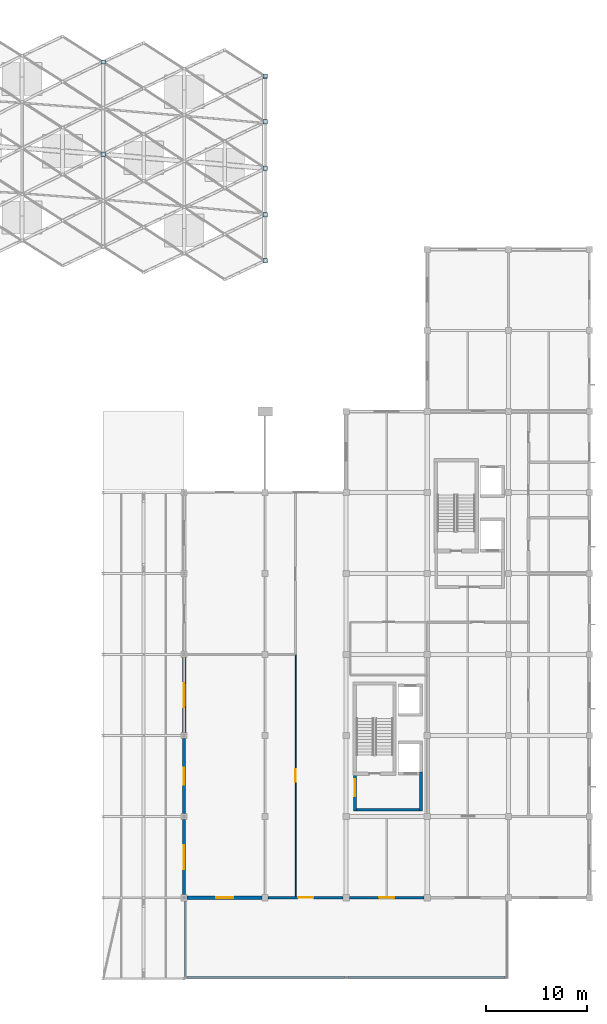
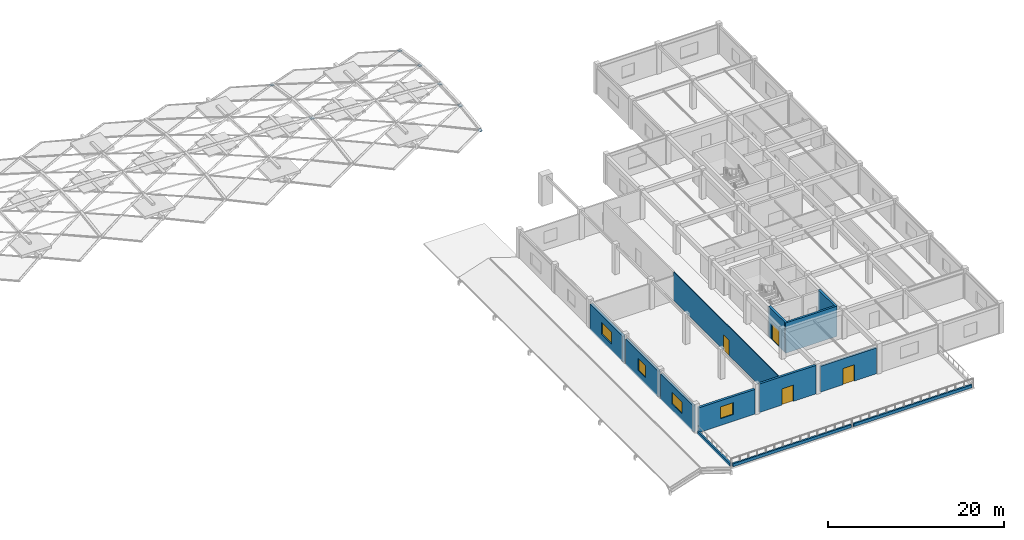
# One storey, part 15 of 27: 13 walls, 7 plates, 4 doors, 4 windows, 8 openings.
"""IFC4 building model written with IfcOpenShell, lengths in metres."""

from ifc_helpers import new_model, si_unit, direction, frame, frame_2d, origin, place, context, subcontext, project, spatial, polyline, rectangle, outline, extrude, material, layer, layer_set, type_object, element, fill, save


model = new_model("IFC4")

# Units and contexts
model_context = context("Model", 3, precision=1e-05, world=origin(), true_north=direction((0.0, 1.0)))
body_context = subcontext(model_context, "Body", "Model", "MODEL_VIEW")
ifc_project = project(units=[si_unit("LENGTHUNIT", "METRE"), si_unit("AREAUNIT", "SQUARE_METRE"), si_unit("VOLUMEUNIT", "CUBIC_METRE"), si_unit("PLANEANGLEUNIT", "RADIAN"), si_unit("MASSUNIT", "GRAM", prefix="KILO")], contexts=[model_context])

# Site, building, storey
site_placement = place(None, origin())
site = spatial("IfcSite", under=ifc_project, at=site_placement, CompositionType="ELEMENT")
building_placement = place(site_placement, origin())
building = spatial("IfcBuilding", under=site, at=building_placement, Name="Kenh Van Central Station", CompositionType="ELEMENT")
storey_placement = place(building_placement, frame((0.0, 0.0, 19.199951171875)))
storey = spatial("IfcBuildingStorey", under=building, at=storey_placement, Name="L04", CompositionType="ELEMENT", Elevation=19.199951171875)

# Plates
ifc_material_1 = material(Name="White fluoropolymer structural steel S355", Category="steel")
ifc_layer_1 = layer(ifc_material_1, 0.02490234375, Name="White fluoropolymer structural steel S355")
ifc_layer_set_1 = layer_set([ifc_layer_1], Name="White fluoropolymer structural steel S355")
plate_type = type_object("IfcPlateType", Name="PLT-GUSSET-NP25", PredefinedType="USERDEFINED", material=ifc_layer_set_1)
plate_1_placement = place(storey_placement, frame((127.780029296875, 89.16845703125, 2.0), z_axis=(0.0, 0.0, 1.0), x_axis=(1.0, 0.0, 0.0)))
element("IfcPlate", 1, at=plate_1_placement, inside=storey, type_object=plate_type, Name="Vault node gusset plate NP-25 039", ObjectType="GUSSET_PLATE", PredefinedType="USERDEFINED", context=body_context, shape_type="SweptSolid", body=[
    extrude(outline(polyline([(0.0, 0.0), (0.43994140625, 0.0), (0.43994140625, 0.43994140625), (0.0, 0.43994140625), (0.0, 0.0)])), origin(), (0.0, 0.0, -1.0), 0.02490234375),
])
for number, where, z_axis, x_axis, name in (
    (2, (127.780029296875, 98.2861328125, 1.127197265625), (0.0, 0.205814766977, 0.978590967511), (1.0, 0.0, 0.0), "Vault node gusset plate NP-25 040"),
    (3, (143.780029296875, 78.671630859375, 1.03662109375), (0.0, -0.205814766977, 0.978590967511), (1.0, 0.0, 0.0), "Vault node gusset plate NP-25 045"),
):
    element("IfcPlate", number, at=place(storey_placement, frame(where, z_axis=z_axis, x_axis=x_axis)), inside=storey, type_object=plate_type, Name=name, ObjectType="GUSSET_PLATE", PredefinedType="USERDEFINED", context=body_context, shape_type="SweptSolid", body=[
        extrude(outline(polyline([(0.0, 0.0), (0.43994140625, 0.0), (0.43994140625, 0.440085875302234), (0.0, 0.440085875302234), (0.0, 0.0)])), origin(), (0.0, 0.0, -1.0), 0.02490234375),
    ])
plate_2_placement = place(storey_placement, frame((143.780029296875, 83.200927734375, 1.752685546875), z_axis=(0.0, -0.099338876332, 0.995053660688), x_axis=(1.0, 0.0, 0.0)))
element("IfcPlate", 4, at=plate_2_placement, inside=storey, type_object=plate_type, Name="Vault node gusset plate NP-25 046", ObjectType="GUSSET_PLATE", PredefinedType="USERDEFINED", context=body_context, shape_type="SweptSolid", body=[
    extrude(outline(polyline([(0.0, 0.0), (0.43994140625, 0.0), (0.43994140625, 0.43992013488219434), (0.0, 0.43992013488219434), (0.0, 0.0)])), origin(), (0.0, 0.0, -1.0), 0.02490234375),
])
plate_3_placement = place(storey_placement, frame((143.780029296875, 87.780029296875, 2.0), z_axis=(0.0, 0.0, 1.0), x_axis=(1.0, 0.0, 0.0)))
element("IfcPlate", 5, at=plate_3_placement, inside=storey, type_object=plate_type, Name="Vault node gusset plate NP-25 047", ObjectType="GUSSET_PLATE", PredefinedType="USERDEFINED", context=body_context, shape_type="SweptSolid", body=[
    extrude(outline(polyline([(0.0, 0.0), (0.43994140625, 0.0), (0.43994140625, 0.43994140625), (0.0, 0.43994140625), (0.0, 0.0)])), origin(), (0.0, 0.0, -1.0), 0.02490234375),
])
plate_4_placement = place(storey_placement, frame((143.780029296875, 92.361328125, 1.79638671875), z_axis=(0.0, 0.099338876332, 0.995053660688), x_axis=(1.0, 0.0, 0.0)))
element("IfcPlate", 6, at=plate_4_placement, inside=storey, type_object=plate_type, Name="Vault node gusset plate NP-25 048", ObjectType="GUSSET_PLATE", PredefinedType="USERDEFINED", context=body_context, shape_type="SweptSolid", body=[
    extrude(outline(polyline([(0.0, 0.0), (0.43994140625, 0.0), (0.43994140625, 0.43992013488219434), (0.0, 0.43992013488219434), (0.0, 0.0)])), origin(), (0.0, 0.0, -1.0), 0.02490234375),
])
plate_5_placement = place(storey_placement, frame((143.780029296875, 96.897705078125, 1.127197265625), z_axis=(0.0, 0.205814766977, 0.978590967511), x_axis=(1.0, 0.0, 0.0)))
element("IfcPlate", 7, at=plate_5_placement, inside=storey, type_object=plate_type, Name="Vault node gusset plate NP-25 049", ObjectType="GUSSET_PLATE", PredefinedType="USERDEFINED", context=body_context, shape_type="SweptSolid", body=[
    extrude(outline(polyline([(0.0, 0.0), (0.43994140625, 0.0), (0.43994140625, 0.440085875302234), (0.0, 0.440085875302234), (0.0, 0.0)])), origin(), (0.0, 0.0, -1.0), 0.02490234375),
])

# Wall, opening, door
ifc_material_2 = material(Name="Saigon buff sandstone and terracotta masonry", Category="masonry")
ifc_layer_2 = layer(ifc_material_2, 0.2900390625, Name="Saigon buff sandstone and terracotta masonry")
ifc_layer_set_2 = layer_set([ifc_layer_2], Name="Saigon buff sandstone and terracotta masonry")
wall_type_1 = type_object("IfcWallType", Name="WL-EXT-290", PredefinedType="STANDARD", material=ifc_layer_set_2)
wall_1_placement = place(storey_placement, frame((144.300048828125, 16.0, 0.0), z_axis=(0.0, 0.0, 1.0), x_axis=(1.0, 0.0, 0.0)))
wall_1 = element("IfcWall", 8, at=wall_1_placement, inside=storey, type_object=wall_type_1, Name="L04 exterior wall 132", PredefinedType="STANDARD", context=body_context, shape_type="SweptSolid", body=[
    extrude(rectangle(XDim=7.39990234375, YDim=0.2900390625, at=frame_2d((3.699951171875, 0.0))), origin(), (0.0, 0.0, 1.0), 3.9599609375),
])
opening_1_placement = place(wall_1_placement, frame((2.949951171875, 0.0, 0.0)))
opening_1 = element("IfcOpeningElement", 9, at=opening_1_placement, cuts=wall_1, Name="Opening D-EX6", PredefinedType="OPENING", context=body_context, shape_type="SweptSolid", body=[
    extrude(rectangle(XDim=1.5, YDim=2.25, at=frame_2d((0.75, 1.125))), frame((0.0, 0.155029296875, 0.0), z_axis=(0.0, -1.0, 0.0), x_axis=(1.0, 0.0, 0.0)), (0.0, 0.0, 1.0), 0.31005859375),
])
ifc_material_3 = material(Name="Champagne anodised aluminium", Category="aluminium")
door_type_1 = type_object("IfcDoorType", Name="DR-EXT-1500x2250", OperationType="DOUBLE_DOOR_SINGLE_SWING", PredefinedType="DOOR", material=ifc_material_3)
door_1_placement = place(opening_1_placement, frame((1.5, 0.0, 0.0), z_axis=(0.0, 0.0, 1.0), x_axis=(-1.0, 0.0, 0.0)))
door_1 = element("IfcDoor", 10, at=door_1_placement, inside=storey, type_object=door_type_1, Name="L04 exterior door 033", OperationType="DOUBLE_DOOR_SINGLE_SWING", OverallHeight=2.25, OverallWidth=1.5, PredefinedType="DOOR", context=body_context, shape_type="SweptSolid", body=[
    extrude(rectangle(XDim=1.5, YDim=2.25, at=frame_2d((-0.75, 1.125))), frame((0.0, -0.02490234375, 0.0), z_axis=(0.0, 1.0, 0.0), x_axis=(-1.0, 0.0, 0.0)), (0.0, 0.0, 1.0), 0.050048828125),
])
fill(opening_1, door_1)

# Wall, opening, window
wall_2_placement = place(storey_placement, frame((136.0, 23.699951171875, 0.0), z_axis=(0.0, 0.0, 1.0), x_axis=(0.0, -1.0, 0.0)))
wall_2 = element("IfcWall", 11, at=wall_2_placement, inside=storey, type_object=wall_type_1, Name="L04 exterior wall 156", PredefinedType="STANDARD", context=body_context, shape_type="SweptSolid", body=[
    extrude(rectangle(XDim=7.39990234375, YDim=0.2900390625, at=frame_2d((3.699951171875, 0.0))), origin(), (0.0, 0.0, 1.0), 3.580078125),
])
opening_2_placement = place(wall_2_placement, frame((2.52490234375, 0.0, 0.949951171875)))
opening_2 = element("IfcOpeningElement", 12, at=opening_2_placement, cuts=wall_2, Name="Opening WN-20", PredefinedType="OPENING", context=body_context, shape_type="SweptSolid", body=[
    extrude(rectangle(XDim=2.35009765625, YDim=1.64990234375, at=frame_2d((1.175048828125, 0.824951171875))), frame((0.0, 0.155029296875, 0.0), z_axis=(0.0, -1.0, 0.0), x_axis=(1.0, 0.0, 0.0)), (0.0, 0.0, 1.0), 0.31005859375),
])
ifc_material_4 = material(Name="Double-glazed low-E laminated solar glass", Category="glass")
window_type_1 = type_object("IfcWindowType", Name="WN-OP04-2350x1650", PartitioningType="DOUBLE_PANEL_VERTICAL", PredefinedType="WINDOW", material=ifc_material_4)
window_1_placement = place(opening_2_placement, origin())
window_1 = element("IfcWindow", 13, at=window_1_placement, inside=storey, type_object=window_type_1, Name="L04 window 122", OverallHeight=1.64990234375, OverallWidth=2.35009765625, PartitioningType="SINGLE_PANEL", PredefinedType="WINDOW", context=body_context, shape_type="SweptSolid", body=[
    extrude(rectangle(XDim=2.35009765625, YDim=1.64990234375, at=frame_2d((1.175048828125, 0.824951171875))), frame((0.0, 0.030029296875, 0.0), z_axis=(0.0, -1.0, 0.0), x_axis=(1.0, 0.0, 0.0)), (0.0, 0.0, 1.0), 0.06005859375),
])
fill(opening_2, window_1)

ifc_layer_3 = layer(ifc_material_2, 0.31005859375, Name="Saigon buff sandstone and terracotta masonry")
ifc_layer_set_3 = layer_set([ifc_layer_3], Name="Saigon buff sandstone and terracotta masonry")
wall_type_2 = type_object("IfcWallType", Name="WL-EXT-310", PredefinedType="STANDARD", material=ifc_layer_set_3)
wall_3_placement = place(storey_placement, frame((136.300048828125, 16.0, 0.0), z_axis=(0.0, 0.0, 1.0), x_axis=(1.0, 0.0, 0.0)))
wall_3 = element("IfcWall", 14, at=wall_3_placement, inside=storey, type_object=wall_type_2, Name="L04 exterior wall 131", PredefinedType="STANDARD", context=body_context, shape_type="SweptSolid", body=[
    extrude(rectangle(XDim=7.39990234375, YDim=0.31005859375, at=frame_2d((3.699951171875, 0.0))), origin(), (0.0, 0.0, 1.0), 3.441650390625),
])
opening_3_placement = place(wall_3_placement, frame((2.85009765625, 0.0, 0.949951171875)))
opening_3 = element("IfcOpeningElement", 15, at=opening_3_placement, cuts=wall_3, Name="Opening WN-21", PredefinedType="OPENING", context=body_context, shape_type="SweptSolid", body=[
    extrude(rectangle(XDim=1.699951171875, YDim=1.64990234375, at=frame_2d((0.85009765625, 0.824951171875))), frame((0.0, 0.1650390625, 0.0), z_axis=(0.0, -1.0, 0.0), x_axis=(1.0, 0.0, 0.0)), (0.0, 0.0, 1.0), 0.330078125),
])
window_type_2 = type_object("IfcWindowType", Name="WN-OP04-1700x1650", PartitioningType="SINGLE_PANEL", PredefinedType="WINDOW", material=ifc_material_4)
window_2_placement = place(opening_3_placement, origin())
window_2 = element("IfcWindow", 16, at=window_2_placement, inside=storey, type_object=window_type_2, Name="L04 window 099", OverallHeight=1.64990234375, OverallWidth=1.699951171875, PartitioningType="SINGLE_PANEL", PredefinedType="WINDOW", context=body_context, shape_type="SweptSolid", body=[
    extrude(rectangle(XDim=1.699951171875, YDim=1.64990234375, at=frame_2d((0.85009765625, 0.824951171875))), frame((0.0, 0.030029296875, 0.0), z_axis=(0.0, -1.0, 0.0), x_axis=(1.0, 0.0, 0.0)), (0.0, 0.0, 1.0), 0.06005859375),
])
fill(opening_3, window_2)

wall_4_placement = place(storey_placement, frame((136.0, 31.699951171875, 0.0), z_axis=(0.0, 0.0, 1.0), x_axis=(0.0, -1.0, 0.0)))
wall_4 = element("IfcWall", 17, at=wall_4_placement, inside=storey, type_object=wall_type_2, Name="L04 exterior wall 155", PredefinedType="STANDARD", context=body_context, shape_type="SweptSolid", body=[
    extrude(rectangle(XDim=7.39990234375, YDim=0.31005859375, at=frame_2d((3.699951171875, 0.0))), origin(), (0.0, 0.0, 1.0), 3.580078125),
])
opening_4_placement = place(wall_4_placement, frame((2.85009765625, 0.0, 0.949951171875)))
opening_4 = element("IfcOpeningElement", 18, at=opening_4_placement, cuts=wall_4, Name="Opening WN-21", PredefinedType="OPENING", context=body_context, shape_type="SweptSolid", body=[
    extrude(rectangle(XDim=1.699951171875, YDim=1.64990234375, at=frame_2d((0.85009765625, 0.824951171875))), frame((0.0, 0.1650390625, 0.0), z_axis=(0.0, -1.0, 0.0), x_axis=(1.0, 0.0, 0.0)), (0.0, 0.0, 1.0), 0.330078125),
])
window_3_placement = place(opening_4_placement, origin())
window_3 = element("IfcWindow", 19, at=window_3_placement, inside=storey, type_object=window_type_2, Name="L04 window 121", OverallHeight=1.64990234375, OverallWidth=1.699951171875, PartitioningType="SINGLE_PANEL", PredefinedType="WINDOW", context=body_context, shape_type="SweptSolid", body=[
    extrude(rectangle(XDim=1.699951171875, YDim=1.64990234375, at=frame_2d((0.85009765625, 0.824951171875))), frame((0.0, 0.030029296875, 0.0), z_axis=(0.0, -1.0, 0.0), x_axis=(1.0, 0.0, 0.0)), (0.0, 0.0, 1.0), 0.06005859375),
])
fill(opening_4, window_3)

ifc_layer_4 = layer(ifc_material_2, 0.330078125, Name="Saigon buff sandstone and terracotta masonry")
ifc_layer_set_4 = layer_set([ifc_layer_4], Name="Saigon buff sandstone and terracotta masonry")
wall_type_3 = type_object("IfcWallType", Name="WL-EXT-330", PredefinedType="STANDARD", material=ifc_layer_set_4)
wall_5_placement = place(storey_placement, frame((136.0, 39.699951171875, 0.0), z_axis=(0.0, 0.0, 1.0), x_axis=(0.0, -1.0, 0.0)))
wall_5 = element("IfcWall", 20, at=wall_5_placement, inside=storey, type_object=wall_type_3, Name="L04 exterior wall 154", PredefinedType="STANDARD", context=body_context, shape_type="SweptSolid", body=[
    extrude(rectangle(XDim=7.39990234375, YDim=0.330078125, at=frame_2d((3.699951171875, 0.0))), origin(), (0.0, 0.0, 1.0), 3.580078125),
])
opening_5_placement = place(wall_5_placement, frame((2.52490234375, 0.0, 0.949951171875)))
opening_5 = element("IfcOpeningElement", 21, at=opening_5_placement, cuts=wall_5, Name="Opening WN-20", PredefinedType="OPENING", context=body_context, shape_type="SweptSolid", body=[
    extrude(rectangle(XDim=2.35009765625, YDim=1.64990234375, at=frame_2d((1.175048828125, 0.824951171875))), frame((0.0, 0.175048828125, 0.0), z_axis=(0.0, -1.0, 0.0), x_axis=(1.0, 0.0, 0.0)), (0.0, 0.0, 1.0), 0.35009765625),
])
window_4_placement = place(opening_5_placement, origin())
window_4 = element("IfcWindow", 22, at=window_4_placement, inside=storey, type_object=window_type_1, Name="L04 window 120", OverallHeight=1.64990234375, OverallWidth=2.35009765625, PartitioningType="SINGLE_PANEL", PredefinedType="WINDOW", context=body_context, shape_type="SweptSolid", body=[
    extrude(rectangle(XDim=2.35009765625, YDim=1.64990234375, at=frame_2d((1.175048828125, 0.824951171875))), frame((0.0, 0.030029296875, 0.0), z_axis=(0.0, -1.0, 0.0), x_axis=(1.0, 0.0, 0.0)), (0.0, 0.0, 1.0), 0.06005859375),
])
fill(opening_5, window_4)

# Wall
ifc_material_5 = material(Name="Concrete C40/50", Category="concrete")
ifc_layer_5 = layer(ifc_material_5, 0.260009765625, Name="Concrete C40/50")
ifc_layer_set_5 = layer_set([ifc_layer_5], Name="Concrete C40/50")
wall_type_4 = type_object("IfcWallType", Name="WL-FIRE-260", PredefinedType="SHEAR", material=ifc_layer_set_5)
wall_6_placement = place(storey_placement, frame((159.510009765625, 24.669921875, 0.0), z_axis=(0.0, 0.0, 1.0), x_axis=(-1.0, 0.0, 0.0)))
element("IfcWall", 23, at=wall_6_placement, inside=storey, type_object=wall_type_4, Name="L04 CORE-09 lobby wall S", PredefinedType="SHEAR", context=body_context, shape_type="SweptSolid", body=[
    extrude(rectangle(XDim=6.77001953125, YDim=0.260009765625, at=frame_2d((3.385009765625, 0.0))), origin(), (0.0, 0.0, 1.0), 4.199951171875),
])

# Wall, opening, door
wall_7_placement = place(storey_placement, frame((152.8701171875, 24.5400390625, 0.0), z_axis=(0.0, 0.0, 1.0), x_axis=(0.0, 1.0, 0.0)))
wall_7 = element("IfcWall", 24, at=wall_7_placement, inside=storey, type_object=wall_type_4, Name="L04 CORE-09 lobby wall W", PredefinedType="SHEAR", context=body_context, shape_type="SweptSolid", body=[
    extrude(rectangle(XDim=3.85986328125, YDim=0.260009765625, at=frame_2d((1.929931640625, 0.0))), origin(), (0.0, 0.0, 1.0), 4.199951171875),
])
opening_6_placement = place(wall_7_placement, frame((1.4599609375, 0.0, 0.0)))
opening_6 = element("IfcOpeningElement", 25, at=opening_6_placement, cuts=wall_7, Name="Opening D-FD60D", PredefinedType="OPENING", context=body_context, shape_type="SweptSolid", body=[
    extrude(rectangle(XDim=1.699951171875, YDim=2.199951171875, at=frame_2d((0.85009765625, 1.10009765625))), frame((0.0, 0.139892578125, 0.0), z_axis=(0.0, -1.0, 0.0), x_axis=(1.0, 0.0, 0.0)), (0.0, 0.0, 1.0), 0.280029296875),
])
door_type_2 = type_object("IfcDoorType", Name="DR-FIRE-1700x2200", OperationType="DOUBLE_DOOR_SINGLE_SWING", PredefinedType="DOOR", material=ifc_material_3)
door_2_placement = place(opening_6_placement, origin())
door_2 = element("IfcDoor", 26, at=door_2_placement, inside=storey, type_object=door_type_2, Name="L04 CORE-09 smoke-stop lobby door", OperationType="DOUBLE_DOOR_SINGLE_SWING", OverallHeight=2.199951171875, OverallWidth=1.699951171875, PredefinedType="DOOR", context=body_context, shape_type="SweptSolid", body=[
    extrude(rectangle(XDim=1.699951171875, YDim=2.199951171875, at=frame_2d((0.85009765625, 1.10009765625))), frame((0.0, 0.02490234375, 0.0), z_axis=(0.0, -1.0, 0.0), x_axis=(1.0, 0.0, 0.0)), (0.0, 0.0, 1.0), 0.050048828125),
])
fill(opening_6, door_2)

# Walls
wall_8_placement = place(storey_placement, frame((159.3798828125, 24.5400390625, 0.0), z_axis=(0.0, 0.0, 1.0), x_axis=(0.0, 1.0, 0.0)))
element("IfcWall", 27, at=wall_8_placement, inside=storey, type_object=wall_type_4, Name="L04 CORE-09 lobby wall E", PredefinedType="SHEAR", context=body_context, shape_type="SweptSolid", body=[
    extrude(rectangle(XDim=3.85986328125, YDim=0.260009765625, at=frame_2d((1.929931640625, 0.0))), origin(), (0.0, 0.0, 1.0), 4.199951171875),
])
ifc_material_6 = material(Name="Saigon buff sandstone parapet masonry", Category="masonry")
ifc_layer_6 = layer(ifc_material_6, 0.205078125, Name="Saigon buff sandstone parapet masonry")
ifc_layer_set_6 = layer_set([ifc_layer_6], Name="Saigon buff sandstone parapet masonry")
wall_type_5 = type_object("IfcWallType", Name="WL-PAR-205", PredefinedType="PARAPET", material=ifc_layer_set_6)
for number, where, z_axis, x_axis, name in (
    (28, (136.31005859375, 8.14990234375, 0.0), (0.0, 0.0, 1.0), (1.0, 0.0, 0.0), "L04 terrace parapet 11"),
    (29, (152.159912109375, 8.14990234375, 0.0), (0.0, 0.0, 1.0), (1.0, 0.0, 0.0), "L04 terrace parapet 12"),
):
    element("IfcWall", number, at=place(storey_placement, frame(where, z_axis=z_axis, x_axis=x_axis)), inside=storey, type_object=wall_type_5, Name=name, PredefinedType="PARAPET", context=body_context, shape_type="SweptSolid", body=[
        extrude(rectangle(XDim=15.530029296875, YDim=0.205078125, at=frame_2d((7.76513671875, 0.0))), origin(), (0.0, 0.0, 1.0), 0.420166015625),
    ])
wall_9_placement = place(storey_placement, frame((136.14990234375, 8.31005859375, 0.0), z_axis=(0.0, 0.0, 1.0), x_axis=(0.0, 1.0, 0.0)))
element("IfcWall", 30, at=wall_9_placement, inside=storey, type_object=wall_type_5, Name="L04 terrace parapet 13", PredefinedType="PARAPET", context=body_context, shape_type="SweptSolid", body=[
    extrude(rectangle(XDim=7.3798828125, YDim=0.205078125, at=frame_2d((3.68994140625, 0.0))), origin(), (0.0, 0.0, 1.0), 0.420166015625),
])

# Wall, opening, door
ifc_material_7 = material(Name="Lightweight acoustic masonry blockwork", Category="masonry")
ifc_layer_7 = layer(ifc_material_7, 0.10009765625, Name="Lightweight acoustic masonry blockwork")
ifc_layer_set_7 = layer_set([ifc_layer_7], Name="Lightweight acoustic masonry blockwork")
wall_type_6 = type_object("IfcWallType", Name="WL-PART-100", PredefinedType="PARTITIONING", material=ifc_layer_set_7)
wall_10_placement = place(storey_placement, frame((147.0, 16.1201171875, 0.0), z_axis=(0.0, 0.0, 1.0), x_axis=(0.0, 1.0, 0.0)))
wall_10 = element("IfcWall", 31, at=wall_10_placement, inside=storey, type_object=wall_type_6, Name="L04 interior wall 0188", PredefinedType="PARTITIONING", context=body_context, shape_type="SweptSolid", body=[
    extrude(rectangle(XDim=23.85986328125, YDim=0.10009765625, at=frame_2d((11.929931640625, 0.0))), origin(), (0.0, 0.0, 1.0), 3.9599609375),
])
opening_7_placement = place(wall_10_placement, frame((11.304931640625, 0.0, 0.0)))
opening_7 = element("IfcOpeningElement", 32, at=opening_7_placement, cuts=wall_10, Name="Opening D-IN04", PredefinedType="OPENING", context=body_context, shape_type="SweptSolid", body=[
    extrude(rectangle(XDim=1.25, YDim=2.14990234375, at=frame_2d((0.625, 1.074951171875))), frame((0.0, 0.06005859375, 0.0), z_axis=(0.0, -1.0, 0.0), x_axis=(1.0, 0.0, 0.0)), (0.0, 0.0, 1.0), 0.1201171875),
])
ifc_material_8 = material(Name="Architectural hardwood timber", Category="wood")
door_type_3 = type_object("IfcDoorType", Name="DR-INT-1250x2150", OperationType="NOTDEFINED", PredefinedType="DOOR", material=ifc_material_8)
door_3_placement = place(opening_7_placement, origin())
door_3 = element("IfcDoor", 33, at=door_3_placement, inside=storey, type_object=door_type_3, Name="L04 interior door 0103", OperationType="SINGLE_SWING_RIGHT", OverallHeight=2.14990234375, OverallWidth=1.25, PredefinedType="DOOR", context=body_context, shape_type="SweptSolid", body=[
    extrude(rectangle(XDim=1.25, YDim=2.14990234375, at=frame_2d((0.625, 1.074951171875))), frame((0.0, 0.02490234375, 0.0), z_axis=(0.0, -1.0, 0.0), x_axis=(1.0, 0.0, 0.0)), (0.0, 0.0, 1.0), 0.050048828125),
])
fill(opening_7, door_3)

ifc_material_9 = material(Name="Glazed terracotta architectural masonry", Category="masonry")
ifc_layer_8 = layer(ifc_material_9, 0.239990234375, Name="Glazed terracotta architectural masonry")
ifc_layer_set_8 = layer_set([ifc_layer_8], Name="Glazed terracotta architectural masonry")
wall_type_7 = type_object("IfcWallType", Name="WL-SLD-240", PredefinedType="SOLIDWALL", material=ifc_layer_set_8)
wall_11_placement = place(storey_placement, frame((152.300048828125, 16.0, 0.0), z_axis=(0.0, 0.0, 1.0), x_axis=(1.0, 0.0, 0.0)))
wall_11 = element("IfcWall", 34, at=wall_11_placement, inside=storey, type_object=wall_type_7, Name="L04 exterior wall 133", PredefinedType="SOLIDWALL", context=body_context, shape_type="SweptSolid", body=[
    extrude(rectangle(XDim=7.39990234375, YDim=0.239990234375, at=frame_2d((3.699951171875, 0.0))), origin(), (0.0, 0.0, 1.0), 3.5849609375),
])
opening_8_placement = place(wall_11_placement, frame((2.949951171875, 0.0, 0.0)))
opening_8 = element("IfcOpeningElement", 35, at=opening_8_placement, cuts=wall_11, Name="Opening D-EX6", PredefinedType="OPENING", context=body_context, shape_type="SweptSolid", body=[
    extrude(rectangle(XDim=1.5, YDim=2.25, at=frame_2d((0.75, 1.125))), frame((0.0, 0.1298828125, 0.0), z_axis=(0.0, -1.0, 0.0), x_axis=(1.0, 0.0, 0.0)), (0.0, 0.0, 1.0), 0.260009765625),
])
door_4_placement = place(opening_8_placement, frame((1.5, 0.0, 0.0), z_axis=(0.0, 0.0, 1.0), x_axis=(-1.0, 0.0, 0.0)))
door_4 = element("IfcDoor", 36, at=door_4_placement, inside=storey, type_object=door_type_1, Name="L04 exterior door 034", OperationType="DOUBLE_DOOR_SINGLE_SWING", OverallHeight=2.25, OverallWidth=1.5, PredefinedType="DOOR", context=body_context, shape_type="SweptSolid", body=[
    extrude(rectangle(XDim=1.5, YDim=2.25, at=frame_2d((-0.75, 1.125))), frame((0.0, -0.02490234375, 0.0), z_axis=(0.0, 1.0, 0.0), x_axis=(-1.0, 0.0, 0.0)), (0.0, 0.0, 1.0), 0.050048828125),
])
fill(opening_8, door_4)

save(model, "model.ifc")
